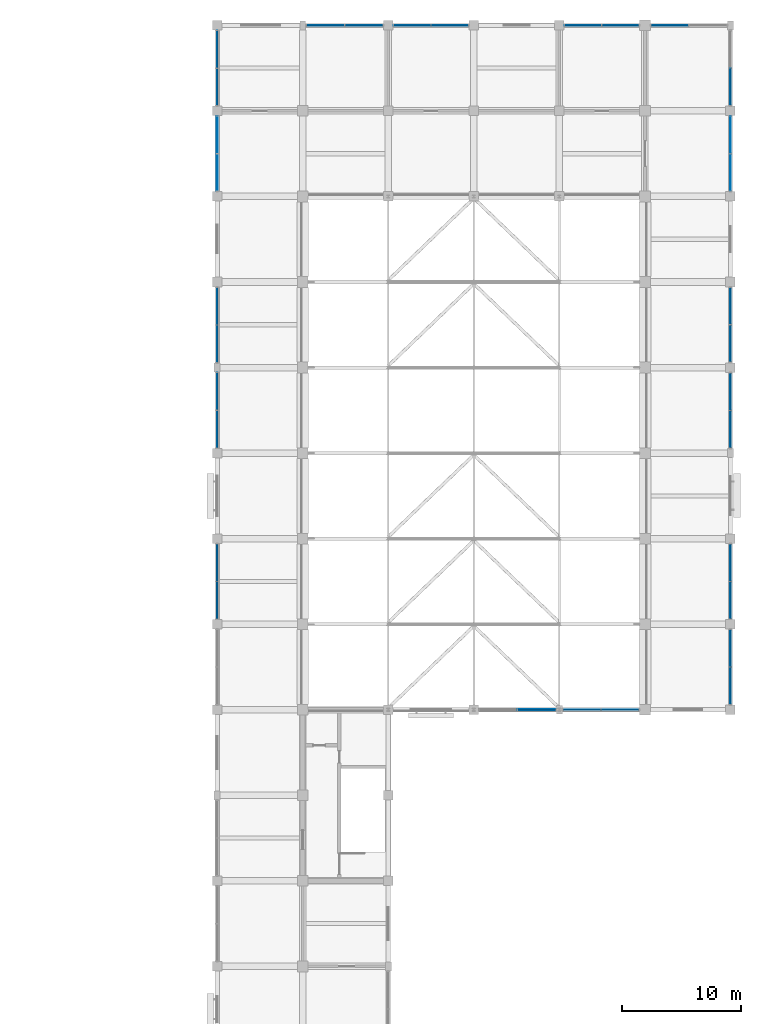
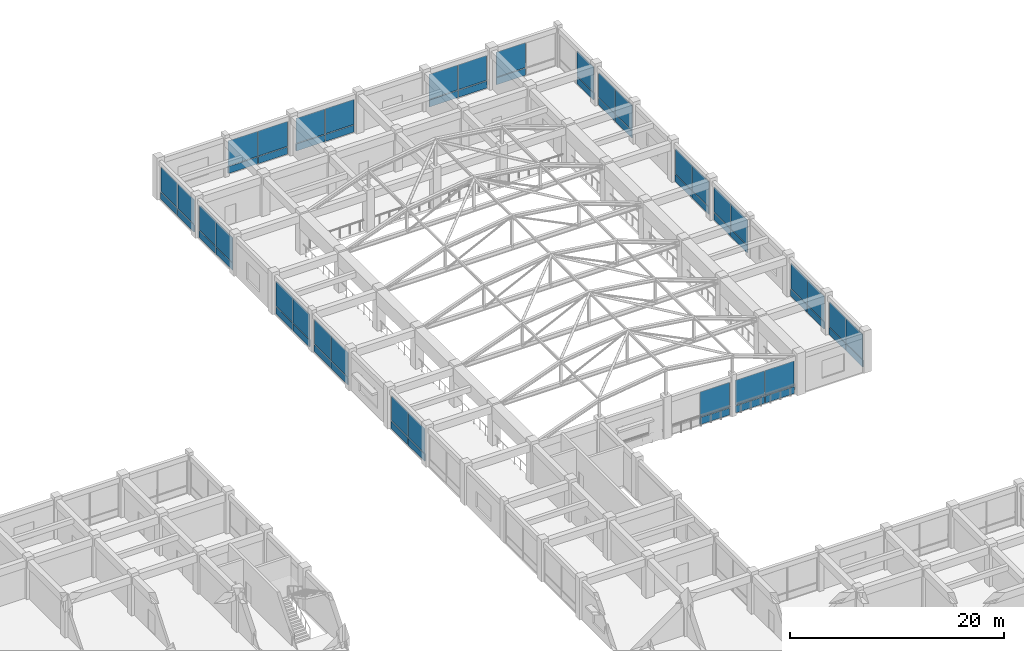
# One storey, part 52 of 75: 62 plates, 17 elements without a shape of their own.
"""IFC4 building model written with IfcOpenShell, lengths in metres."""

from ifc_helpers import new_model, si_unit, direction, frame, origin, origin_2d, place, context, subcontext, project, spatial, rectangle, extrude, material, layer, layer_set, type_object, element, aggregate, save


model = new_model("IFC4")

# Units and contexts
model_context = context("Model", 3, precision=1e-05, world=origin(), true_north=direction((0.0, 1.0)))
body_context = subcontext(model_context, "Body", "Model", "MODEL_VIEW")
ifc_project = project(units=[si_unit("LENGTHUNIT", "METRE"), si_unit("AREAUNIT", "SQUARE_METRE"), si_unit("VOLUMEUNIT", "CUBIC_METRE"), si_unit("PLANEANGLEUNIT", "RADIAN"), si_unit("MASSUNIT", "GRAM", prefix="KILO")], contexts=[model_context])

# Site, building, storey
site_placement = place(None, origin())
site = spatial("IfcSite", under=ifc_project, at=site_placement, CompositionType="ELEMENT")
building_placement = place(site_placement, origin())
building = spatial("IfcBuilding", under=site, at=building_placement, Name="Cendaluz Park School", CompositionType="ELEMENT")
storey_placement = place(building_placement, frame((0.0, 0.0, 4.800048828125)))
storey = spatial("IfcBuildingStorey", under=building, at=storey_placement, Name="L01", CompositionType="ELEMENT", Elevation=4.800048828125)

# Curtain wall, plates
ifc_material_1 = material(Name="Anodised Aluminium 6063-T6", Category="aluminium")
ifc_layer_1 = layer(ifc_material_1, 0.179931640625)
ifc_layer_set_1 = layer_set([ifc_layer_1], Name="Anodised Aluminium 6063-T6")
curtain_wall_type_1 = type_object("IfcCurtainWallType", Name="CW-128x77", PredefinedType="NOTDEFINED", material=ifc_layer_set_1)
curtain_wall_1_placement = place(storey_placement, origin())
curtain_wall_1 = element("IfcCurtainWall", 1, at=curtain_wall_1_placement, inside=storey, type_object=curtain_wall_type_1, Name="CW-L01-063", PredefinedType="NOTDEFINED")
ifc_material_2 = material(Name="Tempered Low-E Double Glazing", Category="glass")
ifc_layer_2 = layer(ifc_material_2, 0.028076171875)
ifc_layer_set_2 = layer_set([ifc_layer_2], Name="Tempered Low-E Double Glazing")
plate_type_1 = type_object("IfcPlateType", Name="CWP-G01", PredefinedType="CURTAIN_PANEL", material=ifc_layer_set_2)
plate_1_placement = place(storey_placement, frame((129.60009765625, 66.8173828125, 0.93505859375), z_axis=(0.0, 0.0, 1.0), x_axis=(0.0, 1.0, 0.0)))
plate_1 = element("IfcPlate", 2, at=plate_1_placement, type_object=plate_type_1, Name="CP-L01-0814", PredefinedType="CURTAIN_PANEL", context=body_context, shape_type="SweptSolid", body=[
    extrude(rectangle(XDim=3.094970703125, YDim=0.028076171875, at=origin_2d()), origin(), (0.0, 0.0, 1.0), 2.844970703125),
])
plate_2_placement = place(storey_placement, frame((129.60009765625, 69.982421875, 0.93505859375), z_axis=(0.0, 0.0, 1.0), x_axis=(0.0, 1.0, 0.0)))
plate_2 = element("IfcPlate", 3, at=plate_2_placement, type_object=plate_type_1, Name="CP-L01-0819", PredefinedType="CURTAIN_PANEL", context=body_context, shape_type="SweptSolid", body=[
    extrude(rectangle(XDim=3.094970703125, YDim=0.028076171875, at=origin_2d()), origin(), (0.0, 0.0, 1.0), 2.844970703125),
])

curtain_wall_2_placement = place(storey_placement, origin())
curtain_wall_2 = element("IfcCurtainWall", 4, at=curtain_wall_2_placement, inside=storey, type_object=curtain_wall_type_1, Name="CW-L01-064", PredefinedType="NOTDEFINED")
plate_3_placement = place(storey_placement, frame((129.60009765625, 81.2236328125, 0.93505859375), z_axis=(0.0, 0.0, 1.0), x_axis=(0.0, 1.0, 0.0)))
plate_3 = element("IfcPlate", 5, at=plate_3_placement, type_object=plate_type_1, Name="CP-L01-0827", PredefinedType="CURTAIN_PANEL", context=body_context, shape_type="SweptSolid", body=[
    extrude(rectangle(XDim=3.107421875, YDim=0.028076171875, at=origin_2d()), origin(), (0.0, 0.0, 1.0), 2.844970703125),
])
plate_4_placement = place(storey_placement, frame((129.60009765625, 84.4013671875, 0.93505859375), z_axis=(0.0, 0.0, 1.0), x_axis=(0.0, 1.0, 0.0)))
plate_4 = element("IfcPlate", 6, at=plate_4_placement, type_object=plate_type_1, Name="CP-L01-0832", PredefinedType="CURTAIN_PANEL", context=body_context, shape_type="SweptSolid", body=[
    extrude(rectangle(XDim=3.107421875, YDim=0.028076171875, at=origin_2d()), origin(), (0.0, 0.0, 1.0), 2.844970703125),
])

curtain_wall_3_placement = place(storey_placement, origin())
curtain_wall_3 = element("IfcCurtainWall", 7, at=curtain_wall_3_placement, inside=storey, type_object=curtain_wall_type_1, Name="CW-L01-065", PredefinedType="NOTDEFINED")
plate_5_placement = place(storey_placement, frame((129.60009765625, 88.398681640625, 0.93505859375), z_axis=(0.0, 0.0, 1.0), x_axis=(0.0, 1.0, 0.0)))
plate_5 = element("IfcPlate", 8, at=plate_5_placement, type_object=plate_type_1, Name="CP-L01-0840", PredefinedType="CURTAIN_PANEL", context=body_context, shape_type="SweptSolid", body=[
    extrude(rectangle(XDim=3.107421875, YDim=0.028076171875, at=origin_2d()), origin(), (0.0, 0.0, 1.0), 2.844970703125),
])
plate_6_placement = place(storey_placement, frame((129.60009765625, 91.576171875, 0.93505859375), z_axis=(0.0, 0.0, 1.0), x_axis=(0.0, 1.0, 0.0)))
plate_6 = element("IfcPlate", 9, at=plate_6_placement, type_object=plate_type_1, Name="CP-L01-0845", PredefinedType="CURTAIN_PANEL", context=body_context, shape_type="SweptSolid", body=[
    extrude(rectangle(XDim=3.107421875, YDim=0.028076171875, at=origin_2d()), origin(), (0.0, 0.0, 1.0), 2.844970703125),
])

curtain_wall_4_placement = place(storey_placement, origin())
curtain_wall_4 = element("IfcCurtainWall", 10, at=curtain_wall_4_placement, inside=storey, type_object=curtain_wall_type_1, Name="CW-L01-066", PredefinedType="NOTDEFINED")
plate_7_placement = place(storey_placement, frame((129.60009765625, 102.8173828125, 0.93505859375), z_axis=(0.0, 0.0, 1.0), x_axis=(0.0, 1.0, 0.0)))
plate_7 = element("IfcPlate", 11, at=plate_7_placement, type_object=plate_type_1, Name="CP-L01-0853", PredefinedType="CURTAIN_PANEL", context=body_context, shape_type="SweptSolid", body=[
    extrude(rectangle(XDim=3.094970703125, YDim=0.028076171875, at=origin_2d()), origin(), (0.0, 0.0, 1.0), 2.844970703125),
])
plate_8_placement = place(storey_placement, frame((129.60009765625, 105.982421875, 0.93505859375), z_axis=(0.0, 0.0, 1.0), x_axis=(0.0, 1.0, 0.0)))
plate_8 = element("IfcPlate", 12, at=plate_8_placement, type_object=plate_type_1, Name="CP-L01-0858", PredefinedType="CURTAIN_PANEL", context=body_context, shape_type="SweptSolid", body=[
    extrude(rectangle(XDim=3.094970703125, YDim=0.028076171875, at=origin_2d()), origin(), (0.0, 0.0, 1.0), 2.844970703125),
])

curtain_wall_5_placement = place(storey_placement, origin())
curtain_wall_5 = element("IfcCurtainWall", 13, at=curtain_wall_5_placement, inside=storey, type_object=curtain_wall_type_1, Name="CW-L01-067", PredefinedType="NOTDEFINED")
plate_9_placement = place(storey_placement, frame((129.60009765625, 110.017578125, 0.93505859375), z_axis=(0.0, 0.0, 1.0), x_axis=(0.0, 1.0, 0.0)))
plate_9 = element("IfcPlate", 14, at=plate_9_placement, type_object=plate_type_1, Name="CP-L01-0866", PredefinedType="CURTAIN_PANEL", context=body_context, shape_type="SweptSolid", body=[
    extrude(rectangle(XDim=3.094970703125, YDim=0.028076171875, at=origin_2d()), origin(), (0.0, 0.0, 1.0), 2.844970703125),
])
plate_10_placement = place(storey_placement, frame((129.60009765625, 113.1826171875, 0.93505859375), z_axis=(0.0, 0.0, 1.0), x_axis=(0.0, 1.0, 0.0)))
plate_10 = element("IfcPlate", 15, at=plate_10_placement, type_object=plate_type_1, Name="CP-L01-0871", PredefinedType="CURTAIN_PANEL", context=body_context, shape_type="SweptSolid", body=[
    extrude(rectangle(XDim=3.094970703125, YDim=0.028076171875, at=origin_2d()), origin(), (0.0, 0.0, 1.0), 2.844970703125),
])

ifc_layer_3 = layer(ifc_material_1, 0.179931640625)
ifc_layer_set_3 = layer_set([ifc_layer_3], Name="Anodised Aluminium 6063-T6")
curtain_wall_type_2 = type_object("IfcCurtainWallType", Name="CW-130x77", PredefinedType="NOTDEFINED", material=ifc_layer_set_3)
curtain_wall_6_placement = place(storey_placement, origin())
curtain_wall_6 = element("IfcCurtainWall", 16, at=curtain_wall_6_placement, inside=storey, type_object=curtain_wall_type_2, Name="CW-L01-076", PredefinedType="NOTDEFINED")
plate_11_placement = place(storey_placement, frame((160.29248046875, 57.60009765625, 0.93505859375), z_axis=(0.0, 0.0, 1.0), x_axis=(1.0, 0.0, 0.0)))
plate_11 = element("IfcPlate", 17, at=plate_11_placement, type_object=plate_type_1, Name="CP-L01-0983", PredefinedType="CURTAIN_PANEL", context=body_context, shape_type="SweptSolid", body=[
    extrude(rectangle(XDim=3.14501953125, YDim=0.028076171875, at=origin_2d()), origin(), (0.0, 0.0, 1.0), 2.844970703125),
])
plate_12_placement = place(storey_placement, frame((163.507568359375, 57.60009765625, 0.93505859375), z_axis=(0.0, 0.0, 1.0), x_axis=(1.0, 0.0, 0.0)))
plate_12 = element("IfcPlate", 18, at=plate_12_placement, type_object=plate_type_1, Name="CP-L01-0988", PredefinedType="CURTAIN_PANEL", context=body_context, shape_type="SweptSolid", body=[
    extrude(rectangle(XDim=3.14501953125, YDim=0.028076171875, at=origin_2d()), origin(), (0.0, 0.0, 1.0), 2.844970703125),
])

ifc_layer_4 = layer(ifc_material_1, 0.179931640625)
ifc_layer_set_4 = layer_set([ifc_layer_4], Name="Anodised Aluminium 6063-T6")
curtain_wall_type_3 = type_object("IfcCurtainWallType", Name="CW-127x77", PredefinedType="NOTDEFINED", material=ifc_layer_set_4)
curtain_wall_7_placement = place(storey_placement, origin())
curtain_wall_7 = element("IfcCurtainWall", 19, at=curtain_wall_7_placement, inside=storey, type_object=curtain_wall_type_3, Name="CW-L01-077", PredefinedType="NOTDEFINED")
plate_13_placement = place(storey_placement, frame((160.405029296875, 115.199951171875, 0.93505859375), z_axis=(0.0, 0.0, 1.0), x_axis=(1.0, 0.0, 0.0)))
plate_13 = element("IfcPlate", 20, at=plate_13_placement, type_object=plate_type_1, Name="CP-L01-0996", PredefinedType="CURTAIN_PANEL", context=body_context, shape_type="SweptSolid", body=[
    extrude(rectangle(XDim=3.070068359375, YDim=0.028076171875, at=origin_2d()), origin(), (0.0, 0.0, 1.0), 2.844970703125),
])
plate_14_placement = place(storey_placement, frame((163.544921875, 115.199951171875, 0.93505859375), z_axis=(0.0, 0.0, 1.0), x_axis=(1.0, 0.0, 0.0)))
plate_14 = element("IfcPlate", 21, at=plate_14_placement, type_object=plate_type_1, Name="CP-L01-1001", PredefinedType="CURTAIN_PANEL", context=body_context, shape_type="SweptSolid", body=[
    extrude(rectangle(XDim=3.070068359375, YDim=0.028076171875, at=origin_2d()), origin(), (0.0, 0.0, 1.0), 2.844970703125),
])

ifc_layer_5 = layer(ifc_material_1, 0.179931640625)
ifc_layer_set_5 = layer_set([ifc_layer_5], Name="Anodised Aluminium 6063-T6")
curtain_wall_type_4 = type_object("IfcCurtainWallType", Name="CW-131x77", PredefinedType="NOTDEFINED", material=ifc_layer_set_5)
curtain_wall_8_placement = place(storey_placement, origin())
curtain_wall_8 = element("IfcCurtainWall", 22, at=curtain_wall_8_placement, inside=storey, type_object=curtain_wall_type_4, Name="CW-L01-069", PredefinedType="NOTDEFINED")
ifc_layer_6 = layer(ifc_material_2, 0.0380859375)
ifc_layer_set_6 = layer_set([ifc_layer_6], Name="Tempered Low-E Double Glazing")
plate_type_2 = type_object("IfcPlateType", Name="CWP-G02", PredefinedType="CURTAIN_PANEL", material=ifc_layer_set_6)
plate_15_placement = place(storey_placement, frame((138.705078125, 115.199951171875, 0.93505859375), z_axis=(0.0, 0.0, 1.0), x_axis=(1.0, 0.0, 0.0)))
plate_15 = element("IfcPlate", 23, at=plate_15_placement, type_object=plate_type_2, Name="CP-L01-0892", PredefinedType="CURTAIN_PANEL", context=body_context, shape_type="SweptSolid", body=[
    extrude(rectangle(XDim=3.169921875, YDim=0.0380859375, at=origin_2d()), origin(), (0.0, 0.0, 1.0), 2.844970703125),
])
plate_16_placement = place(storey_placement, frame((141.945068359375, 115.199951171875, 0.93505859375), z_axis=(0.0, 0.0, 1.0), x_axis=(1.0, 0.0, 0.0)))
plate_16 = element("IfcPlate", 24, at=plate_16_placement, type_object=plate_type_2, Name="CP-L01-0897", PredefinedType="CURTAIN_PANEL", context=body_context, shape_type="SweptSolid", body=[
    extrude(rectangle(XDim=3.169921875, YDim=0.0380859375, at=origin_2d()), origin(), (0.0, 0.0, 1.0), 2.844970703125),
])

# Curtain wall, plate
curtain_wall_9_placement = place(storey_placement, origin())
curtain_wall_9 = element("IfcCurtainWall", 25, at=curtain_wall_9_placement, inside=storey, type_object=curtain_wall_type_2, Name="CW-L01-088", PredefinedType="NOTDEFINED")
plate_17_placement = place(storey_placement, frame((167.6923828125, 115.199951171875, 0.93505859375), z_axis=(0.0, 0.0, 1.0), x_axis=(1.0, 0.0, 0.0)))
plate_17 = element("IfcPlate", 26, at=plate_17_placement, type_object=plate_type_2, Name="CP-L01-1139", PredefinedType="CURTAIN_PANEL", context=body_context, shape_type="SweptSolid", body=[
    extrude(rectangle(XDim=3.14501953125, YDim=0.0380859375, at=origin_2d()), origin(), (0.0, 0.0, 1.0), 2.844970703125),
])

# Curtain wall, plates
curtain_wall_10_placement = place(storey_placement, origin())
curtain_wall_10 = element("IfcCurtainWall", 27, at=curtain_wall_10_placement, inside=storey, type_object=curtain_wall_type_1, Name="CW-L01-072", PredefinedType="NOTDEFINED")
ifc_layer_7 = layer(ifc_material_2, 0.048095703125)
ifc_layer_set_7 = layer_set([ifc_layer_7], Name="Tempered Low-E Double Glazing")
plate_type_3 = type_object("IfcPlateType", Name="CWP-G03", PredefinedType="CURTAIN_PANEL", material=ifc_layer_set_7)
plate_18_placement = place(storey_placement, frame((146.017578125, 115.199951171875, 0.93505859375), z_axis=(0.0, 0.0, 1.0), x_axis=(1.0, 0.0, 0.0)))
plate_18 = element("IfcPlate", 28, at=plate_18_placement, type_object=plate_type_3, Name="CP-L01-0931", PredefinedType="CURTAIN_PANEL", context=body_context, shape_type="SweptSolid", body=[
    extrude(rectangle(XDim=3.094970703125, YDim=0.048095703125, at=origin_2d()), origin(), (0.0, 0.0, 1.0), 2.844970703125),
])
plate_19_placement = place(storey_placement, frame((149.1826171875, 115.199951171875, 0.93505859375), z_axis=(0.0, 0.0, 1.0), x_axis=(1.0, 0.0, 0.0)))
plate_19 = element("IfcPlate", 29, at=plate_19_placement, type_object=plate_type_3, Name="CP-L01-0936", PredefinedType="CURTAIN_PANEL", context=body_context, shape_type="SweptSolid", body=[
    extrude(rectangle(XDim=3.094970703125, YDim=0.048095703125, at=origin_2d()), origin(), (0.0, 0.0, 1.0), 2.844970703125),
])

curtain_wall_11_placement = place(storey_placement, origin())
curtain_wall_11 = element("IfcCurtainWall", 30, at=curtain_wall_11_placement, inside=storey, type_object=curtain_wall_type_1, Name="CW-L01-083", PredefinedType="NOTDEFINED")
plate_20_placement = place(storey_placement, frame((172.800048828125, 59.617431640625, 0.93505859375), z_axis=(0.0, 0.0, 1.0), x_axis=(0.0, 1.0, 0.0)))
plate_20 = element("IfcPlate", 31, at=plate_20_placement, type_object=plate_type_3, Name="CP-L01-1074", PredefinedType="CURTAIN_PANEL", context=body_context, shape_type="SweptSolid", body=[
    extrude(rectangle(XDim=3.094970703125, YDim=0.048095703125, at=origin_2d()), origin(), (0.0, 0.0, 1.0), 2.844970703125),
])
plate_21_placement = place(storey_placement, frame((172.800048828125, 62.782470703125, 0.93505859375), z_axis=(0.0, 0.0, 1.0), x_axis=(0.0, 1.0, 0.0)))
plate_21 = element("IfcPlate", 32, at=plate_21_placement, type_object=plate_type_3, Name="CP-L01-1079", PredefinedType="CURTAIN_PANEL", context=body_context, shape_type="SweptSolid", body=[
    extrude(rectangle(XDim=3.094970703125, YDim=0.048095703125, at=origin_2d()), origin(), (0.0, 0.0, 1.0), 2.844970703125),
])

curtain_wall_12_placement = place(storey_placement, origin())
curtain_wall_12 = element("IfcCurtainWall", 33, at=curtain_wall_12_placement, inside=storey, type_object=curtain_wall_type_1, Name="CW-L01-084", PredefinedType="NOTDEFINED")
plate_22_placement = place(storey_placement, frame((172.800048828125, 66.8173828125, 0.93505859375), z_axis=(0.0, 0.0, 1.0), x_axis=(0.0, 1.0, 0.0)))
plate_22 = element("IfcPlate", 34, at=plate_22_placement, type_object=plate_type_3, Name="CP-L01-1087", PredefinedType="CURTAIN_PANEL", context=body_context, shape_type="SweptSolid", body=[
    extrude(rectangle(XDim=3.094970703125, YDim=0.048095703125, at=origin_2d()), origin(), (0.0, 0.0, 1.0), 2.844970703125),
])
plate_23_placement = place(storey_placement, frame((172.800048828125, 69.982421875, 0.93505859375), z_axis=(0.0, 0.0, 1.0), x_axis=(0.0, 1.0, 0.0)))
plate_23 = element("IfcPlate", 35, at=plate_23_placement, type_object=plate_type_3, Name="CP-L01-1092", PredefinedType="CURTAIN_PANEL", context=body_context, shape_type="SweptSolid", body=[
    extrude(rectangle(XDim=3.094970703125, YDim=0.048095703125, at=origin_2d()), origin(), (0.0, 0.0, 1.0), 2.844970703125),
])

curtain_wall_13_placement = place(storey_placement, origin())
curtain_wall_13 = element("IfcCurtainWall", 36, at=curtain_wall_13_placement, inside=storey, type_object=curtain_wall_type_1, Name="CW-L01-085", PredefinedType="NOTDEFINED")
plate_24_placement = place(storey_placement, frame((172.800048828125, 81.19873046875, 0.93505859375), z_axis=(0.0, 0.0, 1.0), x_axis=(0.0, 1.0, 0.0)))
plate_24 = element("IfcPlate", 37, at=plate_24_placement, type_object=plate_type_3, Name="CP-L01-1100", PredefinedType="CURTAIN_PANEL", context=body_context, shape_type="SweptSolid", body=[
    extrude(rectangle(XDim=3.107421875, YDim=0.048095703125, at=origin_2d()), origin(), (0.0, 0.0, 1.0), 2.844970703125),
])
plate_25_placement = place(storey_placement, frame((172.800048828125, 84.376220703125, 0.93505859375), z_axis=(0.0, 0.0, 1.0), x_axis=(0.0, 1.0, 0.0)))
plate_25 = element("IfcPlate", 38, at=plate_25_placement, type_object=plate_type_3, Name="CP-L01-1105", PredefinedType="CURTAIN_PANEL", context=body_context, shape_type="SweptSolid", body=[
    extrude(rectangle(XDim=3.107421875, YDim=0.048095703125, at=origin_2d()), origin(), (0.0, 0.0, 1.0), 2.844970703125),
])

curtain_wall_14_placement = place(storey_placement, origin())
curtain_wall_14 = element("IfcCurtainWall", 39, at=curtain_wall_14_placement, inside=storey, type_object=curtain_wall_type_1, Name="CW-L01-086", PredefinedType="NOTDEFINED")
plate_26_placement = place(storey_placement, frame((172.800048828125, 88.41748046875, 0.93505859375), z_axis=(0.0, 0.0, 1.0), x_axis=(0.0, 1.0, 0.0)))
plate_26 = element("IfcPlate", 40, at=plate_26_placement, type_object=plate_type_3, Name="CP-L01-1113", PredefinedType="CURTAIN_PANEL", context=body_context, shape_type="SweptSolid", body=[
    extrude(rectangle(XDim=3.094970703125, YDim=0.048095703125, at=origin_2d()), origin(), (0.0, 0.0, 1.0), 2.844970703125),
])
plate_27_placement = place(storey_placement, frame((172.800048828125, 91.58251953125, 0.93505859375), z_axis=(0.0, 0.0, 1.0), x_axis=(0.0, 1.0, 0.0)))
plate_27 = element("IfcPlate", 41, at=plate_27_placement, type_object=plate_type_3, Name="CP-L01-1118", PredefinedType="CURTAIN_PANEL", context=body_context, shape_type="SweptSolid", body=[
    extrude(rectangle(XDim=3.094970703125, YDim=0.048095703125, at=origin_2d()), origin(), (0.0, 0.0, 1.0), 2.844970703125),
])

curtain_wall_15_placement = place(storey_placement, origin())
curtain_wall_15 = element("IfcCurtainWall", 42, at=curtain_wall_15_placement, inside=storey, type_object=curtain_wall_type_1, Name="CW-L01-087", PredefinedType="NOTDEFINED")
plate_28_placement = place(storey_placement, frame((172.800048828125, 102.8173828125, 0.93505859375), z_axis=(0.0, 0.0, 1.0), x_axis=(0.0, 1.0, 0.0)))
plate_28 = element("IfcPlate", 43, at=plate_28_placement, type_object=plate_type_3, Name="CP-L01-1126", PredefinedType="CURTAIN_PANEL", context=body_context, shape_type="SweptSolid", body=[
    extrude(rectangle(XDim=3.094970703125, YDim=0.048095703125, at=origin_2d()), origin(), (0.0, 0.0, 1.0), 2.844970703125),
])
plate_29_placement = place(storey_placement, frame((172.800048828125, 105.982421875, 0.93505859375), z_axis=(0.0, 0.0, 1.0), x_axis=(0.0, 1.0, 0.0)))
plate_29 = element("IfcPlate", 44, at=plate_29_placement, type_object=plate_type_3, Name="CP-L01-1131", PredefinedType="CURTAIN_PANEL", context=body_context, shape_type="SweptSolid", body=[
    extrude(rectangle(XDim=3.094970703125, YDim=0.048095703125, at=origin_2d()), origin(), (0.0, 0.0, 1.0), 2.844970703125),
])

# Curtain wall, plate
curtain_wall_16_placement = place(storey_placement, origin())
curtain_wall_16 = element("IfcCurtainWall", 45, at=curtain_wall_16_placement, inside=storey, type_object=curtain_wall_type_1, Name="CW-L01-089", PredefinedType="NOTDEFINED")
plate_30_placement = place(storey_placement, frame((172.800048828125, 110.023681640625, 0.93505859375), z_axis=(0.0, 0.0, 1.0), x_axis=(0.0, 1.0, 0.0)))
plate_30 = element("IfcPlate", 46, at=plate_30_placement, type_object=plate_type_3, Name="CP-L01-1152", PredefinedType="CURTAIN_PANEL", context=body_context, shape_type="SweptSolid", body=[
    extrude(rectangle(XDim=3.107421875, YDim=0.048095703125, at=origin_2d()), origin(), (0.0, 0.0, 1.0), 2.844970703125),
])

curtain_wall_17_placement = place(storey_placement, origin())
curtain_wall_17 = element("IfcCurtainWall", 47, at=curtain_wall_17_placement, inside=storey, type_object=curtain_wall_type_4, Name="CW-L01-074", PredefinedType="NOTDEFINED")
ifc_layer_8 = layer(ifc_material_2, 0.05810546875)
ifc_layer_set_8 = layer_set([ifc_layer_8], Name="Tempered Low-E Double Glazing")
plate_type_4 = type_object("IfcPlateType", Name="CWP-G04", PredefinedType="CURTAIN_PANEL", material=ifc_layer_set_8)
plate_31_placement = place(storey_placement, frame((156.4951171875, 57.60009765625, 0.93505859375), z_axis=(0.0, 0.0, 1.0), x_axis=(1.0, 0.0, 0.0)))
plate_31 = element("IfcPlate", 48, at=plate_31_placement, type_object=plate_type_4, Name="CP-L01-0962", PredefinedType="CURTAIN_PANEL", context=body_context, shape_type="SweptSolid", body=[
    extrude(rectangle(XDim=3.169921875, YDim=0.05810546875, at=origin_2d()), origin(), (0.0, 0.0, 1.0), 2.844970703125),
])

# Plate
ifc_layer_9 = layer(ifc_material_1, 0.080078125)
ifc_layer_set_9 = layer_set([ifc_layer_9], Name="Anodised Aluminium 6063-T6")
plate_type_5 = type_object("IfcPlateType", Name="CWP-S01", PredefinedType="CURTAIN_PANEL", material=ifc_layer_set_9)
plate_32_placement = place(storey_placement, frame((129.60009765625, 102.8173828125, 0.070068359375), z_axis=(0.0, 0.0, 1.0), x_axis=(0.0, 1.0, 0.0)))
plate_32 = element("IfcPlate", 49, at=plate_32_placement, type_object=plate_type_5, Name="CP-L01-0852", PredefinedType="CURTAIN_PANEL", context=body_context, shape_type="SweptSolid", body=[
    extrude(rectangle(XDim=3.094970703125, YDim=0.080078125, at=origin_2d()), origin(), (0.0, 0.0, 1.0), 0.794921875),
])

plate_33_placement = place(storey_placement, frame((129.60009765625, 105.982421875, 0.070068359375), z_axis=(0.0, 0.0, 1.0), x_axis=(0.0, 1.0, 0.0)))
plate_33 = element("IfcPlate", 50, at=plate_33_placement, type_object=plate_type_5, Name="CP-L01-0857", PredefinedType="CURTAIN_PANEL", context=body_context, shape_type="SweptSolid", body=[
    extrude(rectangle(XDim=3.094970703125, YDim=0.080078125, at=origin_2d()), origin(), (0.0, 0.0, 1.0), 0.794921875),
])

aggregate(curtain_wall_4, [plate_32, plate_7, plate_33, plate_8])

plate_34_placement = place(storey_placement, frame((172.800048828125, 102.8173828125, 0.070068359375), z_axis=(0.0, 0.0, 1.0), x_axis=(0.0, 1.0, 0.0)))
plate_34 = element("IfcPlate", 51, at=plate_34_placement, type_object=plate_type_5, Name="CP-L01-1125", PredefinedType="CURTAIN_PANEL", context=body_context, shape_type="SweptSolid", body=[
    extrude(rectangle(XDim=3.094970703125, YDim=0.080078125, at=origin_2d()), origin(), (0.0, 0.0, 1.0), 0.794921875),
])

plate_35_placement = place(storey_placement, frame((172.800048828125, 105.982421875, 0.070068359375), z_axis=(0.0, 0.0, 1.0), x_axis=(0.0, 1.0, 0.0)))
plate_35 = element("IfcPlate", 52, at=plate_35_placement, type_object=plate_type_5, Name="CP-L01-1130", PredefinedType="CURTAIN_PANEL", context=body_context, shape_type="SweptSolid", body=[
    extrude(rectangle(XDim=3.094970703125, YDim=0.080078125, at=origin_2d()), origin(), (0.0, 0.0, 1.0), 0.794921875),
])

aggregate(curtain_wall_15, [plate_34, plate_28, plate_35, plate_29])

ifc_layer_10 = layer(ifc_material_1, 0.094970703125)
ifc_layer_set_10 = layer_set([ifc_layer_10], Name="Anodised Aluminium 6063-T6")
plate_type_6 = type_object("IfcPlateType", Name="CWP-S02", PredefinedType="CURTAIN_PANEL", material=ifc_layer_set_10)
plate_36_placement = place(storey_placement, frame((129.60009765625, 81.2236328125, 0.070068359375), z_axis=(0.0, 0.0, 1.0), x_axis=(0.0, 1.0, 0.0)))
plate_36 = element("IfcPlate", 53, at=plate_36_placement, type_object=plate_type_6, Name="CP-L01-0826", PredefinedType="CURTAIN_PANEL", context=body_context, shape_type="SweptSolid", body=[
    extrude(rectangle(XDim=3.107421875, YDim=0.094970703125, at=origin_2d()), origin(), (0.0, 0.0, 1.0), 0.794921875),
])

plate_37_placement = place(storey_placement, frame((129.60009765625, 84.4013671875, 0.070068359375), z_axis=(0.0, 0.0, 1.0), x_axis=(0.0, 1.0, 0.0)))
plate_37 = element("IfcPlate", 54, at=plate_37_placement, type_object=plate_type_6, Name="CP-L01-0831", PredefinedType="CURTAIN_PANEL", context=body_context, shape_type="SweptSolid", body=[
    extrude(rectangle(XDim=3.107421875, YDim=0.094970703125, at=origin_2d()), origin(), (0.0, 0.0, 1.0), 0.794921875),
])

aggregate(curtain_wall_2, [plate_36, plate_3, plate_37, plate_4])

plate_38_placement = place(storey_placement, frame((129.60009765625, 110.017578125, 0.070068359375), z_axis=(0.0, 0.0, 1.0), x_axis=(0.0, 1.0, 0.0)))
plate_38 = element("IfcPlate", 55, at=plate_38_placement, type_object=plate_type_6, Name="CP-L01-0865", PredefinedType="CURTAIN_PANEL", context=body_context, shape_type="SweptSolid", body=[
    extrude(rectangle(XDim=3.094970703125, YDim=0.094970703125, at=origin_2d()), origin(), (0.0, 0.0, 1.0), 0.794921875),
])

plate_39_placement = place(storey_placement, frame((129.60009765625, 113.1826171875, 0.070068359375), z_axis=(0.0, 0.0, 1.0), x_axis=(0.0, 1.0, 0.0)))
plate_39 = element("IfcPlate", 56, at=plate_39_placement, type_object=plate_type_6, Name="CP-L01-0870", PredefinedType="CURTAIN_PANEL", context=body_context, shape_type="SweptSolid", body=[
    extrude(rectangle(XDim=3.094970703125, YDim=0.094970703125, at=origin_2d()), origin(), (0.0, 0.0, 1.0), 0.794921875),
])

aggregate(curtain_wall_5, [plate_38, plate_9, plate_39, plate_10])

plate_40_placement = place(storey_placement, frame((172.800048828125, 81.19873046875, 0.070068359375), z_axis=(0.0, 0.0, 1.0), x_axis=(0.0, 1.0, 0.0)))
plate_40 = element("IfcPlate", 57, at=plate_40_placement, type_object=plate_type_6, Name="CP-L01-1099", PredefinedType="CURTAIN_PANEL", context=body_context, shape_type="SweptSolid", body=[
    extrude(rectangle(XDim=3.107421875, YDim=0.094970703125, at=origin_2d()), origin(), (0.0, 0.0, 1.0), 0.794921875),
])

plate_41_placement = place(storey_placement, frame((172.800048828125, 84.376220703125, 0.070068359375), z_axis=(0.0, 0.0, 1.0), x_axis=(0.0, 1.0, 0.0)))
plate_41 = element("IfcPlate", 58, at=plate_41_placement, type_object=plate_type_6, Name="CP-L01-1104", PredefinedType="CURTAIN_PANEL", context=body_context, shape_type="SweptSolid", body=[
    extrude(rectangle(XDim=3.107421875, YDim=0.094970703125, at=origin_2d()), origin(), (0.0, 0.0, 1.0), 0.794921875),
])

aggregate(curtain_wall_13, [plate_40, plate_24, plate_41, plate_25])

plate_42_placement = place(storey_placement, frame((172.800048828125, 110.023681640625, 0.070068359375), z_axis=(0.0, 0.0, 1.0), x_axis=(0.0, 1.0, 0.0)))
plate_42 = element("IfcPlate", 59, at=plate_42_placement, type_object=plate_type_6, Name="CP-L01-1151", PredefinedType="CURTAIN_PANEL", context=body_context, shape_type="SweptSolid", body=[
    extrude(rectangle(XDim=3.107421875, YDim=0.094970703125, at=origin_2d()), origin(), (0.0, 0.0, 1.0), 0.794921875),
])

aggregate(curtain_wall_16, [plate_42, plate_30])

ifc_layer_11 = layer(ifc_material_1, 0.110107421875)
ifc_layer_set_11 = layer_set([ifc_layer_11], Name="Anodised Aluminium 6063-T6")
plate_type_7 = type_object("IfcPlateType", Name="CWP-S03", PredefinedType="CURTAIN_PANEL", material=ifc_layer_set_11)
plate_43_placement = place(storey_placement, frame((129.60009765625, 88.398681640625, 0.070068359375), z_axis=(0.0, 0.0, 1.0), x_axis=(0.0, 1.0, 0.0)))
plate_43 = element("IfcPlate", 60, at=plate_43_placement, type_object=plate_type_7, Name="CP-L01-0839", PredefinedType="CURTAIN_PANEL", context=body_context, shape_type="SweptSolid", body=[
    extrude(rectangle(XDim=3.107421875, YDim=0.110107421875, at=origin_2d()), origin(), (0.0, 0.0, 1.0), 0.794921875),
])

plate_44_placement = place(storey_placement, frame((129.60009765625, 91.576171875, 0.070068359375), z_axis=(0.0, 0.0, 1.0), x_axis=(0.0, 1.0, 0.0)))
plate_44 = element("IfcPlate", 61, at=plate_44_placement, type_object=plate_type_7, Name="CP-L01-0844", PredefinedType="CURTAIN_PANEL", context=body_context, shape_type="SweptSolid", body=[
    extrude(rectangle(XDim=3.107421875, YDim=0.110107421875, at=origin_2d()), origin(), (0.0, 0.0, 1.0), 0.794921875),
])

aggregate(curtain_wall_3, [plate_43, plate_5, plate_44, plate_6])

plate_45_placement = place(storey_placement, frame((138.705078125, 115.199951171875, 0.070068359375), z_axis=(0.0, 0.0, 1.0), x_axis=(1.0, 0.0, 0.0)))
plate_45 = element("IfcPlate", 62, at=plate_45_placement, type_object=plate_type_7, Name="CP-L01-0891", PredefinedType="CURTAIN_PANEL", context=body_context, shape_type="SweptSolid", body=[
    extrude(rectangle(XDim=3.169921875, YDim=0.110107421875, at=origin_2d()), origin(), (0.0, 0.0, 1.0), 0.794921875),
])

plate_46_placement = place(storey_placement, frame((141.945068359375, 115.199951171875, 0.070068359375), z_axis=(0.0, 0.0, 1.0), x_axis=(1.0, 0.0, 0.0)))
plate_46 = element("IfcPlate", 63, at=plate_46_placement, type_object=plate_type_7, Name="CP-L01-0896", PredefinedType="CURTAIN_PANEL", context=body_context, shape_type="SweptSolid", body=[
    extrude(rectangle(XDim=3.169921875, YDim=0.110107421875, at=origin_2d()), origin(), (0.0, 0.0, 1.0), 0.794921875),
])

aggregate(curtain_wall_8, [plate_45, plate_15, plate_46, plate_16])

plate_47_placement = place(storey_placement, frame((146.017578125, 115.199951171875, 0.070068359375), z_axis=(0.0, 0.0, 1.0), x_axis=(1.0, 0.0, 0.0)))
plate_47 = element("IfcPlate", 64, at=plate_47_placement, type_object=plate_type_7, Name="CP-L01-0930", PredefinedType="CURTAIN_PANEL", context=body_context, shape_type="SweptSolid", body=[
    extrude(rectangle(XDim=3.094970703125, YDim=0.110107421875, at=origin_2d()), origin(), (0.0, 0.0, 1.0), 0.794921875),
])

plate_48_placement = place(storey_placement, frame((149.1826171875, 115.199951171875, 0.070068359375), z_axis=(0.0, 0.0, 1.0), x_axis=(1.0, 0.0, 0.0)))
plate_48 = element("IfcPlate", 65, at=plate_48_placement, type_object=plate_type_7, Name="CP-L01-0935", PredefinedType="CURTAIN_PANEL", context=body_context, shape_type="SweptSolid", body=[
    extrude(rectangle(XDim=3.094970703125, YDim=0.110107421875, at=origin_2d()), origin(), (0.0, 0.0, 1.0), 0.794921875),
])

aggregate(curtain_wall_10, [plate_47, plate_18, plate_48, plate_19])

plate_49_placement = place(storey_placement, frame((156.4951171875, 57.60009765625, 0.070068359375), z_axis=(0.0, 0.0, 1.0), x_axis=(1.0, 0.0, 0.0)))
plate_49 = element("IfcPlate", 66, at=plate_49_placement, type_object=plate_type_7, Name="CP-L01-0961", PredefinedType="CURTAIN_PANEL", context=body_context, shape_type="SweptSolid", body=[
    extrude(rectangle(XDim=3.169921875, YDim=0.110107421875, at=origin_2d()), origin(), (0.0, 0.0, 1.0), 0.794921875),
])

aggregate(curtain_wall_17, [plate_49, plate_31])

plate_50_placement = place(storey_placement, frame((160.29248046875, 57.60009765625, 0.070068359375), z_axis=(0.0, 0.0, 1.0), x_axis=(1.0, 0.0, 0.0)))
plate_50 = element("IfcPlate", 67, at=plate_50_placement, type_object=plate_type_7, Name="CP-L01-0982", PredefinedType="CURTAIN_PANEL", context=body_context, shape_type="SweptSolid", body=[
    extrude(rectangle(XDim=3.14501953125, YDim=0.110107421875, at=origin_2d()), origin(), (0.0, 0.0, 1.0), 0.794921875),
])

plate_51_placement = place(storey_placement, frame((163.507568359375, 57.60009765625, 0.070068359375), z_axis=(0.0, 0.0, 1.0), x_axis=(1.0, 0.0, 0.0)))
plate_51 = element("IfcPlate", 68, at=plate_51_placement, type_object=plate_type_7, Name="CP-L01-0987", PredefinedType="CURTAIN_PANEL", context=body_context, shape_type="SweptSolid", body=[
    extrude(rectangle(XDim=3.14501953125, YDim=0.110107421875, at=origin_2d()), origin(), (0.0, 0.0, 1.0), 0.794921875),
])

aggregate(curtain_wall_6, [plate_50, plate_11, plate_51, plate_12])

plate_52_placement = place(storey_placement, frame((160.405029296875, 115.199951171875, 0.070068359375), z_axis=(0.0, 0.0, 1.0), x_axis=(1.0, 0.0, 0.0)))
plate_52 = element("IfcPlate", 69, at=plate_52_placement, type_object=plate_type_7, Name="CP-L01-0995", PredefinedType="CURTAIN_PANEL", context=body_context, shape_type="SweptSolid", body=[
    extrude(rectangle(XDim=3.070068359375, YDim=0.110107421875, at=origin_2d()), origin(), (0.0, 0.0, 1.0), 0.794921875),
])

plate_53_placement = place(storey_placement, frame((163.544921875, 115.199951171875, 0.070068359375), z_axis=(0.0, 0.0, 1.0), x_axis=(1.0, 0.0, 0.0)))
plate_53 = element("IfcPlate", 70, at=plate_53_placement, type_object=plate_type_7, Name="CP-L01-1000", PredefinedType="CURTAIN_PANEL", context=body_context, shape_type="SweptSolid", body=[
    extrude(rectangle(XDim=3.070068359375, YDim=0.110107421875, at=origin_2d()), origin(), (0.0, 0.0, 1.0), 0.794921875),
])

aggregate(curtain_wall_7, [plate_52, plate_13, plate_53, plate_14])

plate_54_placement = place(storey_placement, frame((172.800048828125, 59.617431640625, 0.070068359375), z_axis=(0.0, 0.0, 1.0), x_axis=(0.0, 1.0, 0.0)))
plate_54 = element("IfcPlate", 71, at=plate_54_placement, type_object=plate_type_7, Name="CP-L01-1073", PredefinedType="CURTAIN_PANEL", context=body_context, shape_type="SweptSolid", body=[
    extrude(rectangle(XDim=3.094970703125, YDim=0.110107421875, at=origin_2d()), origin(), (0.0, 0.0, 1.0), 0.794921875),
])

plate_55_placement = place(storey_placement, frame((172.800048828125, 62.782470703125, 0.070068359375), z_axis=(0.0, 0.0, 1.0), x_axis=(0.0, 1.0, 0.0)))
plate_55 = element("IfcPlate", 72, at=plate_55_placement, type_object=plate_type_7, Name="CP-L01-1078", PredefinedType="CURTAIN_PANEL", context=body_context, shape_type="SweptSolid", body=[
    extrude(rectangle(XDim=3.094970703125, YDim=0.110107421875, at=origin_2d()), origin(), (0.0, 0.0, 1.0), 0.794921875),
])

aggregate(curtain_wall_11, [plate_54, plate_20, plate_55, plate_21])

plate_56_placement = place(storey_placement, frame((172.800048828125, 88.41748046875, 0.070068359375), z_axis=(0.0, 0.0, 1.0), x_axis=(0.0, 1.0, 0.0)))
plate_56 = element("IfcPlate", 73, at=plate_56_placement, type_object=plate_type_7, Name="CP-L01-1112", PredefinedType="CURTAIN_PANEL", context=body_context, shape_type="SweptSolid", body=[
    extrude(rectangle(XDim=3.094970703125, YDim=0.110107421875, at=origin_2d()), origin(), (0.0, 0.0, 1.0), 0.794921875),
])

plate_57_placement = place(storey_placement, frame((172.800048828125, 91.58251953125, 0.070068359375), z_axis=(0.0, 0.0, 1.0), x_axis=(0.0, 1.0, 0.0)))
plate_57 = element("IfcPlate", 74, at=plate_57_placement, type_object=plate_type_7, Name="CP-L01-1117", PredefinedType="CURTAIN_PANEL", context=body_context, shape_type="SweptSolid", body=[
    extrude(rectangle(XDim=3.094970703125, YDim=0.110107421875, at=origin_2d()), origin(), (0.0, 0.0, 1.0), 0.794921875),
])

aggregate(curtain_wall_14, [plate_56, plate_26, plate_57, plate_27])

plate_58_placement = place(storey_placement, frame((167.6923828125, 115.199951171875, 0.070068359375), z_axis=(0.0, 0.0, 1.0), x_axis=(1.0, 0.0, 0.0)))
plate_58 = element("IfcPlate", 75, at=plate_58_placement, type_object=plate_type_7, Name="CP-L01-1138", PredefinedType="CURTAIN_PANEL", context=body_context, shape_type="SweptSolid", body=[
    extrude(rectangle(XDim=3.14501953125, YDim=0.110107421875, at=origin_2d()), origin(), (0.0, 0.0, 1.0), 0.794921875),
])

aggregate(curtain_wall_9, [plate_58, plate_17])

ifc_layer_12 = layer(ifc_material_1, 0.125)
ifc_layer_set_12 = layer_set([ifc_layer_12], Name="Anodised Aluminium 6063-T6")
plate_type_8 = type_object("IfcPlateType", Name="CWP-S04", PredefinedType="CURTAIN_PANEL", material=ifc_layer_set_12)
plate_59_placement = place(storey_placement, frame((129.60009765625, 66.8173828125, 0.070068359375), z_axis=(0.0, 0.0, 1.0), x_axis=(0.0, 1.0, 0.0)))
plate_59 = element("IfcPlate", 76, at=plate_59_placement, type_object=plate_type_8, Name="CP-L01-0813", PredefinedType="CURTAIN_PANEL", context=body_context, shape_type="SweptSolid", body=[
    extrude(rectangle(XDim=3.094970703125, YDim=0.125, at=origin_2d()), origin(), (0.0, 0.0, 1.0), 0.794921875),
])

plate_60_placement = place(storey_placement, frame((129.60009765625, 69.982421875, 0.070068359375), z_axis=(0.0, 0.0, 1.0), x_axis=(0.0, 1.0, 0.0)))
plate_60 = element("IfcPlate", 77, at=plate_60_placement, type_object=plate_type_8, Name="CP-L01-0818", PredefinedType="CURTAIN_PANEL", context=body_context, shape_type="SweptSolid", body=[
    extrude(rectangle(XDim=3.094970703125, YDim=0.125, at=origin_2d()), origin(), (0.0, 0.0, 1.0), 0.794921875),
])

aggregate(curtain_wall_1, [plate_59, plate_1, plate_60, plate_2])

plate_61_placement = place(storey_placement, frame((172.800048828125, 66.8173828125, 0.070068359375), z_axis=(0.0, 0.0, 1.0), x_axis=(0.0, 1.0, 0.0)))
plate_61 = element("IfcPlate", 78, at=plate_61_placement, type_object=plate_type_8, Name="CP-L01-1086", PredefinedType="CURTAIN_PANEL", context=body_context, shape_type="SweptSolid", body=[
    extrude(rectangle(XDim=3.094970703125, YDim=0.125, at=origin_2d()), origin(), (0.0, 0.0, 1.0), 0.794921875),
])

plate_62_placement = place(storey_placement, frame((172.800048828125, 69.982421875, 0.070068359375), z_axis=(0.0, 0.0, 1.0), x_axis=(0.0, 1.0, 0.0)))
plate_62 = element("IfcPlate", 79, at=plate_62_placement, type_object=plate_type_8, Name="CP-L01-1091", PredefinedType="CURTAIN_PANEL", context=body_context, shape_type="SweptSolid", body=[
    extrude(rectangle(XDim=3.094970703125, YDim=0.125, at=origin_2d()), origin(), (0.0, 0.0, 1.0), 0.794921875),
])

aggregate(curtain_wall_12, [plate_61, plate_22, plate_62, plate_23])

save(model, "model.ifc")
